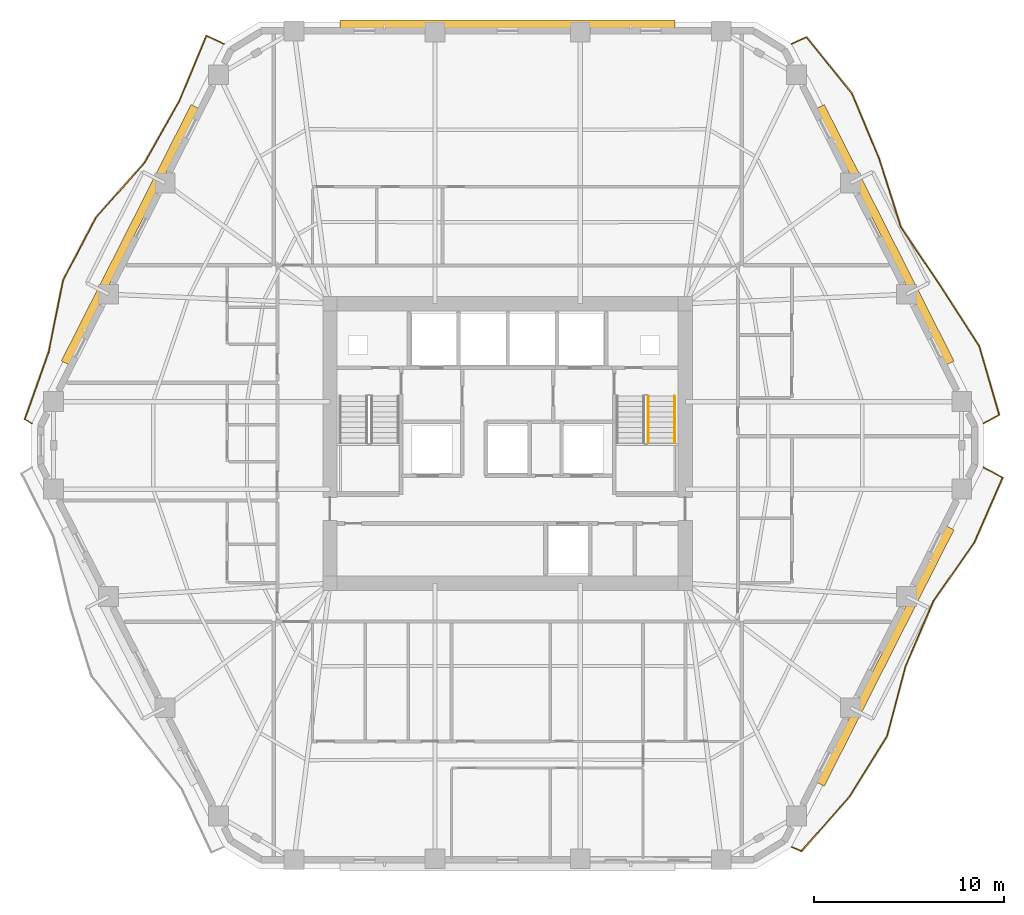
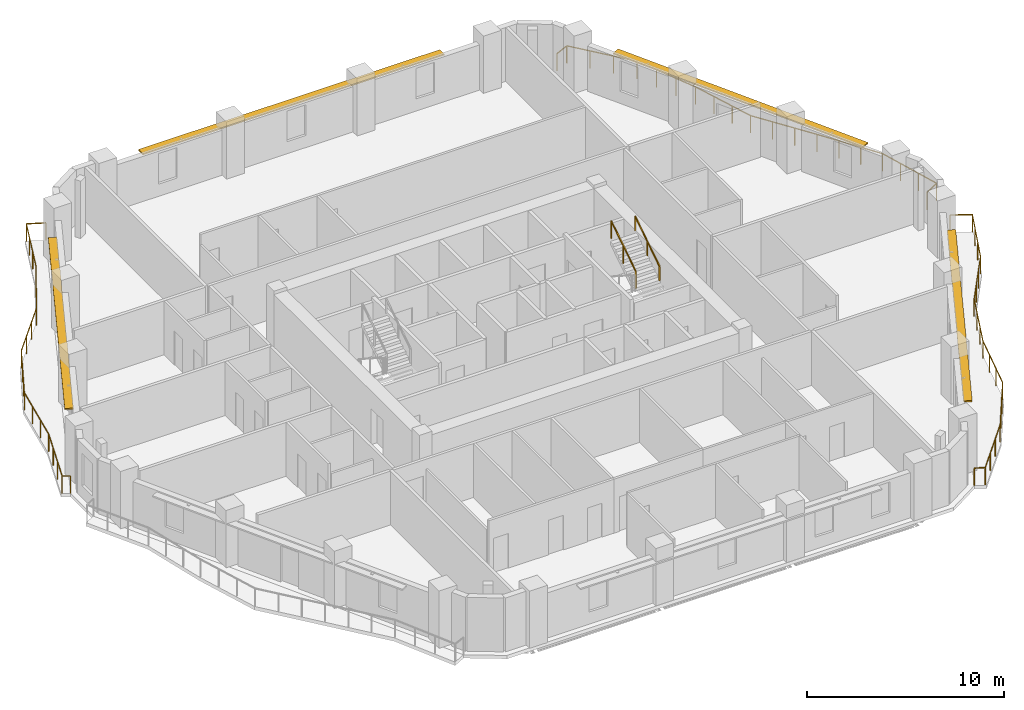
# One storey, part 12 of 12: 5 railings, 4 shading devices.
"""IFC4 building model written with IfcOpenShell, lengths in metres."""

from ifc_helpers import new_model, si_unit, direction, frame, origin, origin_2d, place, context, subcontext, project, spatial, rectangle, extrude, material, layer, layer_set, type_object, element, save


model = new_model("IFC4")

# Units and contexts
model_context = context("Model", 3, precision=1e-05, world=origin(), true_north=direction((0.0, 1.0)))
body_context = subcontext(model_context, "Body", "Model", "MODEL_VIEW")
ifc_project = project(units=[si_unit("LENGTHUNIT", "METRE"), si_unit("AREAUNIT", "SQUARE_METRE"), si_unit("VOLUMEUNIT", "CUBIC_METRE"), si_unit("PLANEANGLEUNIT", "RADIAN"), si_unit("MASSUNIT", "GRAM", prefix="KILO")], contexts=[model_context])

# Site, building, storey
site_placement = place(None, origin())
site = spatial("IfcSite", under=ifc_project, at=site_placement, CompositionType="ELEMENT")
building_placement = place(site_placement, origin())
building = spatial("IfcBuilding", under=site, at=building_placement, Name="Cinnabar Lancet Tower", CompositionType="ELEMENT")
storey_placement = place(building_placement, frame((0.0, 0.0, 123.25)))
storey = spatial("IfcBuildingStorey", under=building, at=storey_placement, Name="L32", CompositionType="ELEMENT", Elevation=123.25)

# Railings
ifc_material_1 = material(Name="Laminated safety glass and bronze stainless steel balustrade", Category="steel")
railing_type_1 = type_object("IfcRailingType", Name="ENV-RLG-BAL-1100", PredefinedType="BALUSTRADE", material=ifc_material_1)
railing_1_placement = place(storey_placement, frame((47.37890625, 4.610107421875, 0.0)))
element("IfcRailing", 1, at=railing_1_placement, inside=storey, type_object=railing_type_1, Name="L32 Face 2 Wave Balcony Balustrade", PredefinedType="BALUSTRADE", context=body_context, shape_type="SweptSolid", body=[
    extrude(rectangle(XDim=0.048095703125, YDim=0.048095703125, at=origin_2d()), frame((0.0, 0.0, 1.076171875), z_axis=(0.916336651747, -0.400408717019, 0.0), x_axis=(0.400408717019, 0.916336651747, 0.0)), (0.0, 0.0, 1.0), 0.562255859375),
    extrude(rectangle(XDim=0.048095703125, YDim=0.048095703125, at=origin_2d()), frame((0.51513671875, -0.22509765625, 1.076171875), z_axis=(0.660090777879, 0.751185839163, 0.0), x_axis=(-0.751185839163, 0.660090777879, 0.0)), (0.0, 0.0, 1.0), 3.85400390625),
    extrude(rectangle(XDim=0.048095703125, YDim=0.048095703125, at=origin_2d()), frame((3.05908203125, 2.669921875, 1.076171875), z_axis=(0.528445931279, 0.848966959142, 0.0), x_axis=(-0.848966959142, 0.528445931279, 0.0)), (0.0, 0.0, 1.0), 3.746826171875),
    extrude(rectangle(XDim=0.048095703125, YDim=0.048095703125, at=origin_2d()), frame((5.0390625, 5.850830078125, 1.076171875), z_axis=(0.25537531886, 0.966841996666, 0.0), x_axis=(-0.966841996666, 0.25537531886, 0.0)), (0.0, 0.0, 1.0), 3.814453125),
    extrude(rectangle(XDim=0.048095703125, YDim=0.048095703125, at=origin_2d()), frame((6.01318359375, 9.538818359375, 1.076171875), z_axis=(0.393454241438, 0.91934420099, 0.0), x_axis=(-0.91934420099, 0.393454241438, 0.0)), (0.0, 0.0, 1.0), 3.738525390625),
    extrude(rectangle(XDim=0.048095703125, YDim=0.048095703125, at=origin_2d()), frame((7.484130859375, 12.975830078125, 1.076171875), z_axis=(0.572379187908, 0.819989064104, 0.0), x_axis=(-0.819989064104, 0.572379187908, 0.0)), (0.0, 0.0, 1.0), 3.7685546875),
    extrude(rectangle(XDim=0.048095703125, YDim=0.048095703125, at=origin_2d()), frame((9.64111328125, 16.06591796875, 1.076171875), z_axis=(0.400726330975, 0.916197799421, 0.0), x_axis=(-0.916197799421, 0.400726330975, 0.0)), (0.0, 0.0, 1.0), 3.73828125),
    extrude(rectangle(XDim=0.048095703125, YDim=0.048095703125, at=origin_2d()), frame((11.13916015625, 19.490966796875, 1.076171875), z_axis=(-0.881349454193, 0.472464961235, 0.0), x_axis=(-0.472464961235, -0.881349454193, 0.0)), (0.0, 0.0, 1.0), 1.140380859375),
    extrude(rectangle(XDim=0.0419921875, YDim=0.0419921875, at=origin_2d()), origin(), (0.0, 0.0, 1.0), 1.052001953125),
    extrude(rectangle(XDim=0.0419921875, YDim=0.0419921875, at=origin_2d()), frame((0.51513671875, -0.22509765625, 0.0)), (0.0, 0.0, 1.0), 1.052001953125),
    extrude(rectangle(XDim=0.0419921875, YDim=0.0419921875, at=origin_2d()), frame((1.363037109375, 0.739990234375, 0.0)), (0.0, 0.0, 1.0), 1.052001953125),
    extrude(rectangle(XDim=0.0419921875, YDim=0.0419921875, at=origin_2d()), frame((2.211181640625, 1.704833984375, 0.0)), (0.0, 0.0, 1.0), 1.052001953125),
    extrude(rectangle(XDim=0.0419921875, YDim=0.0419921875, at=origin_2d()), frame((3.05908203125, 2.669921875, 0.0)), (0.0, 0.0, 1.0), 1.052001953125),
    extrude(rectangle(XDim=0.0419921875, YDim=0.0419921875, at=origin_2d()), frame((3.718994140625, 3.730224609375, 0.0)), (0.0, 0.0, 1.0), 1.052001953125),
    extrude(rectangle(XDim=0.0419921875, YDim=0.0419921875, at=origin_2d()), frame((4.379150390625, 4.79052734375, 0.0)), (0.0, 0.0, 1.0), 1.052001953125),
    extrude(rectangle(XDim=0.0419921875, YDim=0.0419921875, at=origin_2d()), frame((5.0390625, 5.850830078125, 0.0)), (0.0, 0.0, 1.0), 1.052001953125),
    extrude(rectangle(XDim=0.0419921875, YDim=0.0419921875, at=origin_2d()), frame((5.36376953125, 7.080078125, 0.0)), (0.0, 0.0, 1.0), 1.052001953125),
    extrude(rectangle(XDim=0.0419921875, YDim=0.0419921875, at=origin_2d()), frame((5.6884765625, 8.3095703125, 0.0)), (0.0, 0.0, 1.0), 1.052001953125),
    extrude(rectangle(XDim=0.0419921875, YDim=0.0419921875, at=origin_2d()), frame((6.01318359375, 9.538818359375, 0.0)), (0.0, 0.0, 1.0), 1.052001953125),
    extrude(rectangle(XDim=0.0419921875, YDim=0.0419921875, at=origin_2d()), frame((6.50341796875, 10.6845703125, 0.0)), (0.0, 0.0, 1.0), 1.052001953125),
    extrude(rectangle(XDim=0.0419921875, YDim=0.0419921875, at=origin_2d()), frame((6.993896484375, 11.830078125, 0.0)), (0.0, 0.0, 1.0), 1.052001953125),
    extrude(rectangle(XDim=0.0419921875, YDim=0.0419921875, at=origin_2d()), frame((7.484130859375, 12.975830078125, 0.0)), (0.0, 0.0, 1.0), 1.052001953125),
    extrude(rectangle(XDim=0.0419921875, YDim=0.0419921875, at=origin_2d()), frame((8.203125, 14.005859375, 0.0)), (0.0, 0.0, 1.0), 1.052001953125),
    extrude(rectangle(XDim=0.0419921875, YDim=0.0419921875, at=origin_2d()), frame((8.922119140625, 15.035888671875, 0.0)), (0.0, 0.0, 1.0), 1.052001953125),
    extrude(rectangle(XDim=0.0419921875, YDim=0.0419921875, at=origin_2d()), frame((9.64111328125, 16.06591796875, 0.0)), (0.0, 0.0, 1.0), 1.052001953125),
    extrude(rectangle(XDim=0.0419921875, YDim=0.0419921875, at=origin_2d()), frame((10.140380859375, 17.20751953125, 0.0)), (0.0, 0.0, 1.0), 1.052001953125),
    extrude(rectangle(XDim=0.0419921875, YDim=0.0419921875, at=origin_2d()), frame((10.639892578125, 18.349365234375, 0.0)), (0.0, 0.0, 1.0), 1.052001953125),
    extrude(rectangle(XDim=0.0419921875, YDim=0.0419921875, at=origin_2d()), frame((11.13916015625, 19.490966796875, 0.0)), (0.0, 0.0, 1.0), 1.052001953125),
    extrude(rectangle(XDim=0.0419921875, YDim=0.0419921875, at=origin_2d()), frame((10.134033203125, 20.02978515625, 0.0)), (0.0, 0.0, 1.0), 1.052001953125),
])
railing_2_placement = place(storey_placement, frame((57.512939453125, 26.9599609375, 0.0)))
element("IfcRailing", 2, at=railing_2_placement, inside=storey, type_object=railing_type_1, Name="L32 Face 3 Wave Balcony Balustrade", PredefinedType="BALUSTRADE", context=body_context, shape_type="SweptSolid", body=[
    extrude(rectangle(XDim=0.048095703125, YDim=0.048095703125, at=origin_2d()), frame((0.0, 0.0, 1.076171875), z_axis=(0.878303499283, 0.478103506729, 0.0), x_axis=(-0.478103506729, 0.878303499283, 0.0)), (0.0, 0.0, 1.0), 0.93701171875),
    extrude(rectangle(XDim=0.048095703125, YDim=0.048095703125, at=origin_2d()), frame((0.822998046875, 0.447998046875, 1.076171875), z_axis=(-0.280034576435, 0.959989914531, 0.0), x_axis=(-0.959989914531, -0.280034576435, 0.0)), (0.0, 0.0, 1.0), 3.7958984375),
    extrude(rectangle(XDim=0.048095703125, YDim=0.048095703125, at=origin_2d()), frame((-0.239990234375, 4.092041015625, 1.076171875), z_axis=(-0.542886988387, 0.839805761971, 0.0), x_axis=(-0.839805761971, -0.542886988387, 0.0)), (0.0, 0.0, 1.0), 3.751953125),
    extrude(rectangle(XDim=0.048095703125, YDim=0.048095703125, at=origin_2d()), frame((-2.27685546875, 7.242919921875, 1.076171875), z_axis=(-0.555883950319, 0.831259907477, 0.0), x_axis=(-0.831259907477, -0.555883950319, 0.0)), (0.0, 0.0, 1.0), 3.75830078125),
    extrude(rectangle(XDim=0.048095703125, YDim=0.048095703125, at=origin_2d()), frame((-4.365966796875, 10.366943359375, 1.076171875), z_axis=(-0.303795633715, 0.952737221345, 0.0), x_axis=(-0.952737221345, -0.303795633715, 0.0)), (0.0, 0.0, 1.0), 3.77880859375),
    extrude(rectangle(XDim=0.048095703125, YDim=0.048095703125, at=origin_2d()), frame((-5.513916015625, 13.967041015625, 1.076171875), z_axis=(-0.385398178068, 0.922750369462, 0.0), x_axis=(-0.922750369462, -0.385398178068, 0.0)), (0.0, 0.0, 1.0), 3.741943359375),
    extrude(rectangle(XDim=0.048095703125, YDim=0.048095703125, at=origin_2d()), frame((-6.9560546875, 17.419921875, 1.076171875), z_axis=(-0.62888346806, 0.777499571448, 0.0), x_axis=(-0.777499571448, -0.62888346806, 0.0)), (0.0, 0.0, 1.0), 3.816162109375),
    extrude(rectangle(XDim=0.048095703125, YDim=0.048095703125, at=origin_2d()), frame((-9.35595703125, 20.386962890625, 1.076171875), z_axis=(-0.908925241886, -0.416959116297, 0.0), x_axis=(0.416959116297, -0.908925241886, 0.0)), (0.0, 0.0, 1.0), 0.85595703125),
    extrude(rectangle(XDim=0.0419921875, YDim=0.0419921875, at=origin_2d()), origin(), (0.0, 0.0, 1.0), 1.052001953125),
    extrude(rectangle(XDim=0.0419921875, YDim=0.0419921875, at=origin_2d()), frame((0.822998046875, 0.447998046875, 0.0)), (0.0, 0.0, 1.0), 1.052001953125),
    extrude(rectangle(XDim=0.0419921875, YDim=0.0419921875, at=origin_2d()), frame((0.46875, 1.66259765625, 0.0)), (0.0, 0.0, 1.0), 1.052001953125),
    extrude(rectangle(XDim=0.0419921875, YDim=0.0419921875, at=origin_2d()), frame((0.1142578125, 2.87744140625, 0.0)), (0.0, 0.0, 1.0), 1.052001953125),
    extrude(rectangle(XDim=0.0419921875, YDim=0.0419921875, at=origin_2d()), frame((-0.239990234375, 4.092041015625, 0.0)), (0.0, 0.0, 1.0), 1.052001953125),
    extrude(rectangle(XDim=0.0419921875, YDim=0.0419921875, at=origin_2d()), frame((-0.9189453125, 5.142333984375, 0.0)), (0.0, 0.0, 1.0), 1.052001953125),
    extrude(rectangle(XDim=0.0419921875, YDim=0.0419921875, at=origin_2d()), frame((-1.597900390625, 6.192626953125, 0.0)), (0.0, 0.0, 1.0), 1.052001953125),
    extrude(rectangle(XDim=0.0419921875, YDim=0.0419921875, at=origin_2d()), frame((-2.27685546875, 7.242919921875, 0.0)), (0.0, 0.0, 1.0), 1.052001953125),
    extrude(rectangle(XDim=0.0419921875, YDim=0.0419921875, at=origin_2d()), frame((-2.97314453125, 8.2841796875, 0.0)), (0.0, 0.0, 1.0), 1.052001953125),
    extrude(rectangle(XDim=0.0419921875, YDim=0.0419921875, at=origin_2d()), frame((-3.669677734375, 9.32568359375, 0.0)), (0.0, 0.0, 1.0), 1.052001953125),
    extrude(rectangle(XDim=0.0419921875, YDim=0.0419921875, at=origin_2d()), frame((-4.365966796875, 10.366943359375, 0.0)), (0.0, 0.0, 1.0), 1.052001953125),
    extrude(rectangle(XDim=0.0419921875, YDim=0.0419921875, at=origin_2d()), frame((-4.74853515625, 11.56689453125, 0.0)), (0.0, 0.0, 1.0), 1.052001953125),
    extrude(rectangle(XDim=0.0419921875, YDim=0.0419921875, at=origin_2d()), frame((-5.13134765625, 12.76708984375, 0.0)), (0.0, 0.0, 1.0), 1.052001953125),
    extrude(rectangle(XDim=0.0419921875, YDim=0.0419921875, at=origin_2d()), frame((-5.513916015625, 13.967041015625, 0.0)), (0.0, 0.0, 1.0), 1.052001953125),
    extrude(rectangle(XDim=0.0419921875, YDim=0.0419921875, at=origin_2d()), frame((-5.99462890625, 15.117919921875, 0.0)), (0.0, 0.0, 1.0), 1.052001953125),
    extrude(rectangle(XDim=0.0419921875, YDim=0.0419921875, at=origin_2d()), frame((-6.475341796875, 16.26904296875, 0.0)), (0.0, 0.0, 1.0), 1.052001953125),
    extrude(rectangle(XDim=0.0419921875, YDim=0.0419921875, at=origin_2d()), frame((-6.9560546875, 17.419921875, 0.0)), (0.0, 0.0, 1.0), 1.052001953125),
    extrude(rectangle(XDim=0.0419921875, YDim=0.0419921875, at=origin_2d()), frame((-7.756103515625, 18.408935546875, 0.0)), (0.0, 0.0, 1.0), 1.052001953125),
    extrude(rectangle(XDim=0.0419921875, YDim=0.0419921875, at=origin_2d()), frame((-8.555908203125, 19.39794921875, 0.0)), (0.0, 0.0, 1.0), 1.052001953125),
    extrude(rectangle(XDim=0.0419921875, YDim=0.0419921875, at=origin_2d()), frame((-9.35595703125, 20.386962890625, 0.0)), (0.0, 0.0, 1.0), 1.052001953125),
    extrude(rectangle(XDim=0.0419921875, YDim=0.0419921875, at=origin_2d()), frame((-10.134033203125, 20.030029296875, 0.0)), (0.0, 0.0, 1.0), 1.052001953125),
])
railing_3_placement = place(storey_placement, frame((17.4208984375, 46.989990234375, 0.0)))
element("IfcRailing", 3, at=railing_3_placement, inside=storey, type_object=railing_type_1, Name="L32 Face 5 Wave Balcony Balustrade", PredefinedType="BALUSTRADE", context=body_context, shape_type="SweptSolid", body=[
    extrude(rectangle(XDim=0.048095703125, YDim=0.048095703125, at=origin_2d()), frame((0.0, 0.0, 1.076171875), z_axis=(-0.905799045948, 0.423707550511, 0.0), x_axis=(-0.423707550511, -0.905799045948, 0.0)), (0.0, 0.0, 1.0), 1.0078125),
    extrude(rectangle(XDim=0.048095703125, YDim=0.048095703125, at=origin_2d()), frame((-0.912841796875, 0.427001953125, 1.076171875), z_axis=(-0.383744902105, -0.923439142612, 0.0), x_axis=(0.923439142612, -0.383744902105, 0.0)), (0.0, 0.0, 1.0), 3.74462890625),
    extrude(rectangle(XDim=0.048095703125, YDim=0.048095703125, at=origin_2d()), frame((-2.349853515625, -3.031005859375, 1.076171875), z_axis=(-0.491626352732, -0.870806252446, 0.0), x_axis=(0.870806252446, -0.491626352732, 0.0)), (0.0, 0.0, 1.0), 3.734375),
    extrude(rectangle(XDim=0.048095703125, YDim=0.048095703125, at=origin_2d()), frame((-4.185791015625, -6.282958984375, 1.076171875), z_axis=(-0.663459760484, -0.748211966102, 0.0), x_axis=(0.748211966102, -0.663459760484, 0.0)), (0.0, 0.0, 1.0), 3.857177734375),
    extrude(rectangle(XDim=0.048095703125, YDim=0.048095703125, at=origin_2d()), frame((-6.744873046875, -9.1689453125, 1.076171875), z_axis=(-0.464278425029, -0.88568930447, 0.0), x_axis=(0.88568930447, -0.464278425029, 0.0)), (0.0, 0.0, 1.0), 3.73046875),
    extrude(rectangle(XDim=0.048095703125, YDim=0.048095703125, at=origin_2d()), frame((-8.476806640625, -12.472900390625, 1.076171875), z_axis=(-0.197098181107, -0.980383754968, 0.0), x_axis=(0.980383754968, -0.197098181107, 0.0)), (0.0, 0.0, 1.0), 3.8720703125),
    extrude(rectangle(XDim=0.048095703125, YDim=0.048095703125, at=origin_2d()), frame((-9.239990234375, -16.26904296875, 1.076171875), z_axis=(-0.33491364906, -0.942248824713, 0.0), x_axis=(0.942248824713, -0.33491364906, 0.0)), (0.0, 0.0, 1.0), 3.76220703125),
    extrude(rectangle(XDim=0.048095703125, YDim=0.048095703125, at=origin_2d()), frame((-10.5, -19.81396484375, 1.076171875), z_axis=(0.86126925759, -0.508148861978, 0.0), x_axis=(0.508148861978, 0.86126925759, 0.0)), (0.0, 0.0, 1.0), 0.42529296875),
    extrude(rectangle(XDim=0.0419921875, YDim=0.0419921875, at=origin_2d()), origin(), (0.0, 0.0, 1.0), 1.052001953125),
    extrude(rectangle(XDim=0.0419921875, YDim=0.0419921875, at=origin_2d()), frame((-0.912841796875, 0.427001953125, 0.0)), (0.0, 0.0, 1.0), 1.052001953125),
    extrude(rectangle(XDim=0.0419921875, YDim=0.0419921875, at=origin_2d()), frame((-1.391845703125, -0.7255859375, 0.0)), (0.0, 0.0, 1.0), 1.052001953125),
    extrude(rectangle(XDim=0.0419921875, YDim=0.0419921875, at=origin_2d()), frame((-1.870849609375, -1.87841796875, 0.0)), (0.0, 0.0, 1.0), 1.052001953125),
    extrude(rectangle(XDim=0.0419921875, YDim=0.0419921875, at=origin_2d()), frame((-2.349853515625, -3.031005859375, 0.0)), (0.0, 0.0, 1.0), 1.052001953125),
    extrude(rectangle(XDim=0.0419921875, YDim=0.0419921875, at=origin_2d()), frame((-2.9619140625, -4.114990234375, 0.0)), (0.0, 0.0, 1.0), 1.052001953125),
    extrude(rectangle(XDim=0.0419921875, YDim=0.0419921875, at=origin_2d()), frame((-3.57373046875, -5.198974609375, 0.0)), (0.0, 0.0, 1.0), 1.052001953125),
    extrude(rectangle(XDim=0.0419921875, YDim=0.0419921875, at=origin_2d()), frame((-4.185791015625, -6.282958984375, 0.0)), (0.0, 0.0, 1.0), 1.052001953125),
    extrude(rectangle(XDim=0.0419921875, YDim=0.0419921875, at=origin_2d()), frame((-5.038818359375, -7.244873046875, 0.0)), (0.0, 0.0, 1.0), 1.052001953125),
    extrude(rectangle(XDim=0.0419921875, YDim=0.0419921875, at=origin_2d()), frame((-5.891845703125, -8.20703125, 0.0)), (0.0, 0.0, 1.0), 1.052001953125),
    extrude(rectangle(XDim=0.0419921875, YDim=0.0419921875, at=origin_2d()), frame((-6.744873046875, -9.1689453125, 0.0)), (0.0, 0.0, 1.0), 1.052001953125),
    extrude(rectangle(XDim=0.0419921875, YDim=0.0419921875, at=origin_2d()), frame((-7.322265625, -10.270263671875, 0.0)), (0.0, 0.0, 1.0), 1.052001953125),
    extrude(rectangle(XDim=0.0419921875, YDim=0.0419921875, at=origin_2d()), frame((-7.8994140625, -11.37158203125, 0.0)), (0.0, 0.0, 1.0), 1.052001953125),
    extrude(rectangle(XDim=0.0419921875, YDim=0.0419921875, at=origin_2d()), frame((-8.476806640625, -12.472900390625, 0.0)), (0.0, 0.0, 1.0), 1.052001953125),
    extrude(rectangle(XDim=0.0419921875, YDim=0.0419921875, at=origin_2d()), frame((-8.731201171875, -13.73828125, 0.0)), (0.0, 0.0, 1.0), 1.052001953125),
    extrude(rectangle(XDim=0.0419921875, YDim=0.0419921875, at=origin_2d()), frame((-8.985595703125, -15.003662109375, 0.0)), (0.0, 0.0, 1.0), 1.052001953125),
    extrude(rectangle(XDim=0.0419921875, YDim=0.0419921875, at=origin_2d()), frame((-9.239990234375, -16.26904296875, 0.0)), (0.0, 0.0, 1.0), 1.052001953125),
    extrude(rectangle(XDim=0.0419921875, YDim=0.0419921875, at=origin_2d()), frame((-9.659912109375, -17.45068359375, 0.0)), (0.0, 0.0, 1.0), 1.052001953125),
    extrude(rectangle(XDim=0.0419921875, YDim=0.0419921875, at=origin_2d()), frame((-10.080078125, -18.63232421875, 0.0)), (0.0, 0.0, 1.0), 1.052001953125),
    extrude(rectangle(XDim=0.0419921875, YDim=0.0419921875, at=origin_2d()), frame((-10.5, -19.81396484375, 0.0)), (0.0, 0.0, 1.0), 1.052001953125),
    extrude(rectangle(XDim=0.0419921875, YDim=0.0419921875, at=origin_2d()), frame((-10.1337890625, -20.030029296875, 0.0)), (0.0, 0.0, 1.0), 1.052001953125),
])

# Shading devices
ifc_material_2 = material(Name="Pale limestone architectural aluminium sunshade", Category="masonry")
ifc_layer = layer(ifc_material_2, 0.080078125)
ifc_layer_set = layer_set([ifc_layer], Name="Pale limestone architectural aluminium sunshade")
shading_device_type = type_object("IfcShadingDeviceType", Name="ENV-SHD-LVR-450", PredefinedType="JALOUSIE", material=ifc_layer_set)
for number, where, z_axis, x_axis, name in (
    (4, (52.327880859375, 14.680908203125, 2.639892578125), (0.0, 0.0, 1.0), (0.451453853408, 0.892294468347, 0.0), "L32 Face 2 Horizontal Sunshade Canopy"),
    (5, (52.327880859375, 36.9189453125, 2.639892578125), (0.0, 0.0, 1.0), (-0.451453853408, 0.892294468347, 0.0), "L32 Face 3 Horizontal Sunshade Canopy"),
):
    element("IfcShadingDevice", number, at=place(storey_placement, frame(where, z_axis=z_axis, x_axis=x_axis)), inside=storey, type_object=shading_device_type, Name=name, PredefinedType="JALOUSIE", context=body_context, shape_type="SweptSolid", body=[
        extrude(rectangle(XDim=15.156982421875, YDim=0.449951171875, at=origin_2d()), origin(), (0.0, 0.0, 1.0), 0.080078125),
    ])
shading_device_1_placement = place(storey_placement, frame((32.39990234375, 48.02001953125, 2.639892578125), z_axis=(0.0, 0.0, 1.0), x_axis=(-1.0, 0.0, 0.0)))
element("IfcShadingDevice", 6, at=shading_device_1_placement, inside=storey, type_object=shading_device_type, Name="L32 Face 4 Horizontal Sunshade Canopy", PredefinedType="JALOUSIE", context=body_context, shape_type="SweptSolid", body=[
    extrude(rectangle(XDim=17.68310546875, YDim=0.449951171875, at=origin_2d()), origin(), (0.0, 0.0, 1.0), 0.080078125),
])
shading_device_2_placement = place(storey_placement, frame((12.471923828125, 36.9189453125, 2.639892578125), z_axis=(0.0, 0.0, 1.0), x_axis=(-0.451453853408, -0.892294468347, 0.0)))
element("IfcShadingDevice", 7, at=shading_device_2_placement, inside=storey, type_object=shading_device_type, Name="L32 Face 5 Horizontal Sunshade Canopy", PredefinedType="JALOUSIE", context=body_context, shape_type="SweptSolid", body=[
    extrude(rectangle(XDim=15.156982421875, YDim=0.449951171875, at=origin_2d()), origin(), (0.0, 0.0, 1.0), 0.080078125),
])

# Railings
ifc_material_3 = material(Name="Painted galvanized steel balustrade", Category="steel")
railing_type_2 = type_object("IfcRailingType", Name="GUARD-STAIR", PredefinedType="GUARDRAIL", material=ifc_material_3)
railing_4_placement = place(storey_placement, frame((39.824951171875, 25.925048828125, 1.952392578125)))
element("IfcRailing", 8, at=railing_4_placement, inside=storey, type_object=railing_type_2, Name="L32 ST-2 stair guard 3", PredefinedType="GUARDRAIL", context=body_context, shape_type="SweptSolid", body=[
    extrude(rectangle(XDim=0.048095703125, YDim=0.048095703125, at=origin_2d()), frame((0.0, 0.0, 1.076171875), z_axis=(0.0, 0.84014559416, 0.542360932049), x_axis=(-1.0, 0.0, 0.0)), (0.0, 0.0, 1.0), 2.94580078125),
    extrude(rectangle(XDim=0.0419921875, YDim=0.0419921875, at=origin_2d()), origin(), (0.0, 0.0, 1.0), 1.052001953125),
    extrude(rectangle(XDim=0.0419921875, YDim=0.0419921875, at=origin_2d()), frame((0.0, 1.2373046875, 0.798828125)), (0.0, 0.0, 1.0), 1.052001953125),
    extrude(rectangle(XDim=0.0419921875, YDim=0.0419921875, at=origin_2d()), frame((0.0, 2.474853515625, 1.59765625)), (0.0, 0.0, 1.0), 1.052001953125),
])
ifc_material_4 = material(Name="Brushed stainless steel handrail", Category="steel")
railing_type_3 = type_object("IfcRailingType", Name="HANDRAIL-STAIR", PredefinedType="HANDRAIL", material=ifc_material_4)
railing_5_placement = place(storey_placement, frame((41.22509765625, 25.925048828125, 1.952392578125)))
element("IfcRailing", 9, at=railing_5_placement, inside=storey, type_object=railing_type_3, Name="L32 ST-2 stair handrail 2", PredefinedType="HANDRAIL", context=body_context, shape_type="SweptSolid", body=[
    extrude(rectangle(XDim=0.048095703125, YDim=0.048095703125, at=origin_2d()), frame((0.0, 0.0, 0.8759765625), z_axis=(0.0, 0.84014559416, 0.542360932049), x_axis=(-1.0, 0.0, 0.0)), (0.0, 0.0, 1.0), 2.94580078125),
    extrude(rectangle(XDim=0.0419921875, YDim=0.0419921875, at=origin_2d()), origin(), (0.0, 0.0, 1.0), 0.851806640625),
    extrude(rectangle(XDim=0.0419921875, YDim=0.0419921875, at=origin_2d()), frame((0.0, 1.2373046875, 0.798828125)), (0.0, 0.0, 1.0), 0.851806640625),
    extrude(rectangle(XDim=0.0419921875, YDim=0.0419921875, at=origin_2d()), frame((0.0, 2.474853515625, 1.59765625)), (0.0, 0.0, 1.0), 0.851806640625),
])

save(model, "model.ifc")
